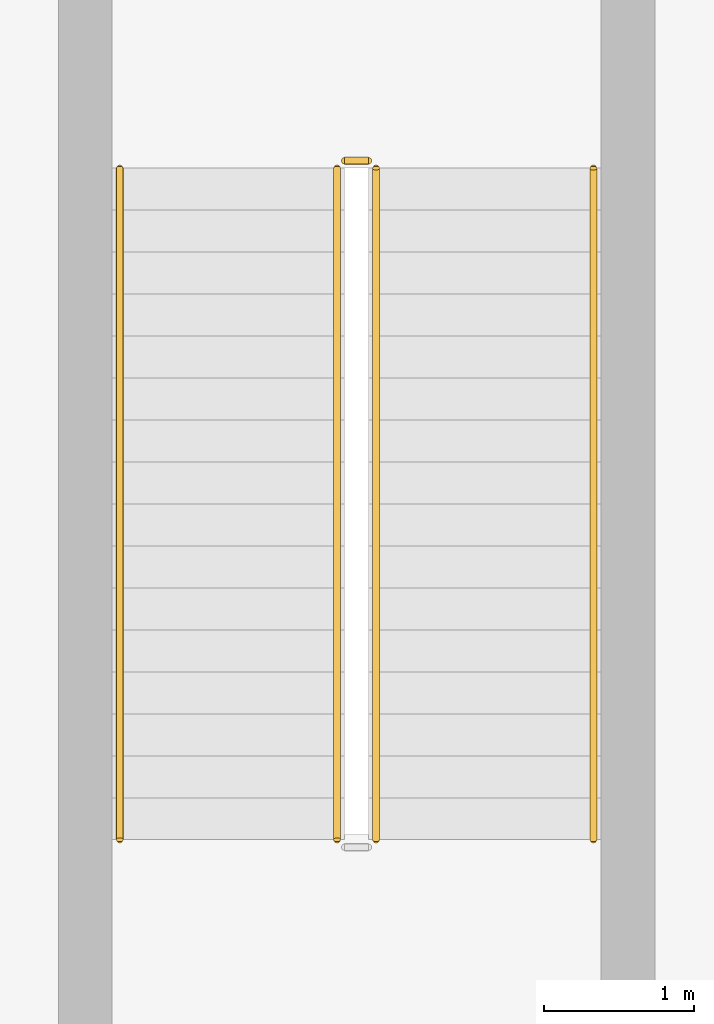
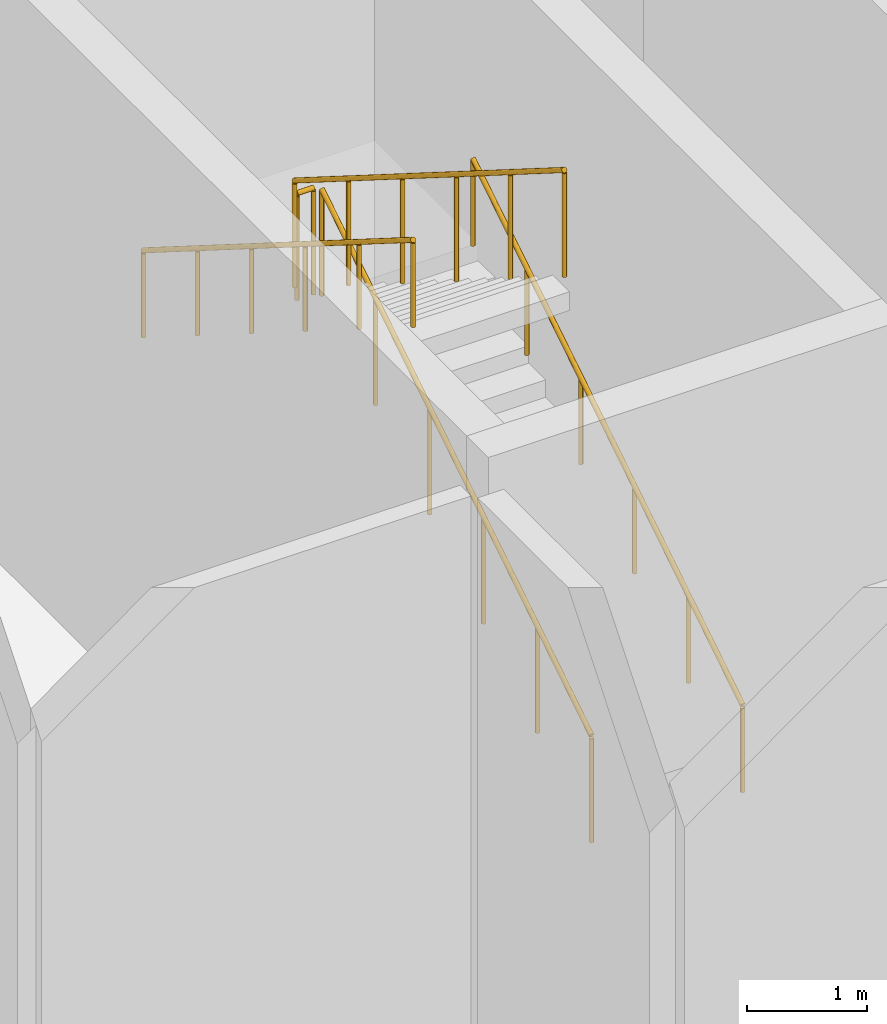
# One storey, part 23 of 25: 5 railings.
"""IFC4 building model written with IfcOpenShell, lengths in metres."""

from ifc_helpers import new_model, si_unit, direction, frame, origin, origin_2d, place, context, subcontext, project, spatial, circle, extrude, source, transform, mapped, material, type_object, element, save


model = new_model("IFC4")

# Units and contexts
model_context = context("Model", 3, precision=1e-05, world=origin(), true_north=direction((0.0, 1.0)))
body_context = subcontext(model_context, "Body", "Model", "MODEL_VIEW")
ifc_project = project(units=[si_unit("LENGTHUNIT", "METRE"), si_unit("AREAUNIT", "SQUARE_METRE"), si_unit("VOLUMEUNIT", "CUBIC_METRE"), si_unit("PLANEANGLEUNIT", "RADIAN"), si_unit("MASSUNIT", "GRAM", prefix="KILO"), si_unit("THERMODYNAMICTEMPERATUREUNIT", "KELVIN")], contexts=[model_context])

# Site, building, storey
site_placement = place(None, origin())
site = spatial("IfcSite", under=ifc_project, at=site_placement, CompositionType="ELEMENT")
building_placement = place(site_placement, origin())
building = spatial("IfcBuilding", under=site, at=building_placement, Name="Kosmvard Interchange Tower", CompositionType="ELEMENT")
storey_placement = place(building_placement, origin())
storey = spatial("IfcBuildingStorey", under=building, at=storey_placement, Name="L00", CompositionType="ELEMENT", Elevation=0.0)

# Railings
ifc_material = material(Name="Steel S355", Category="steel")
railing_type_1 = type_object("IfcRailingType", Name="Stair & Terrace Safety Guardrail 1100 Steel", PredefinedType="GUARDRAIL", material=ifc_material)
shared_shape_1 = source(origin(), body_context, "Body", "SweptSolid", [
    extrude(circle(Radius=0.02392578125, at=origin_2d()), frame((0.0, 0.0, 1.076171875), z_axis=(0.0, 0.845997938375, 0.533186166611), x_axis=(-1.0, 0.0, 0.0)), (0.0, 0.0, 1.0), 5.29541015625),
    extrude(circle(Radius=0.02099609375, at=origin_2d()), origin(), (0.0, 0.0, 1.0), 1.052001953125),
    extrude(circle(Radius=0.02099609375, at=origin_2d()), frame((0.0, 0.89599609375, 0.564697265625)), (0.0, 0.0, 1.0), 1.052001953125),
    extrude(circle(Radius=0.02099609375, at=origin_2d()), frame((0.0, 1.7919921875, 1.12939453125)), (0.0, 0.0, 1.0), 1.052001953125),
    extrude(circle(Radius=0.02099609375, at=origin_2d()), frame((0.0, 2.68798828125, 1.694091796875)), (0.0, 0.0, 1.0), 1.052001953125),
    extrude(circle(Radius=0.02099609375, at=origin_2d()), frame((0.0, 3.583984375, 2.2587890625)), (0.0, 0.0, 1.0), 1.052001953125),
    extrude(circle(Radius=0.02099609375, at=origin_2d()), frame((0.0, 4.47998046875, 2.823486328125)), (0.0, 0.0, 1.0), 1.052001953125),
])
railing_1_placement = place(storey_placement, frame((21.080078125, -3.0, 0.176513671875)))
element("IfcRailing", 1, at=railing_1_placement, inside=storey, type_object=railing_type_1, Name="L00 ST-4 stair guard 1", PredefinedType="GUARDRAIL", context=body_context, shape_type="MappedRepresentation", body=[
    mapped(shared_shape_1, transform((0.0, 0.0, 0.0), scale=1.0)),
])
shared_shape_2 = source(origin(), body_context, "Body", "SweptSolid", [
    extrude(circle(Radius=0.02392578125, at=origin_2d()), frame((0.0, 0.0, 1.076171875), z_axis=(0.0, -0.845997938375, 0.533186166611), x_axis=(1.0, 0.0, 0.0)), (0.0, 0.0, 1.0), 5.29541015625),
    extrude(circle(Radius=0.02099609375, at=origin_2d()), origin(), (0.0, 0.0, 1.0), 1.052001953125),
    extrude(circle(Radius=0.02099609375, at=origin_2d()), frame((0.0, -0.89599609375, 0.564697265625)), (0.0, 0.0, 1.0), 1.052001953125),
    extrude(circle(Radius=0.02099609375, at=origin_2d()), frame((0.0, -1.7919921875, 1.12939453125)), (0.0, 0.0, 1.0), 1.052001953125),
    extrude(circle(Radius=0.02099609375, at=origin_2d()), frame((0.0, -2.68798828125, 1.694091796875)), (0.0, 0.0, 1.0), 1.052001953125),
    extrude(circle(Radius=0.02099609375, at=origin_2d()), frame((0.0, -3.583984375, 2.2587890625)), (0.0, 0.0, 1.0), 1.052001953125),
    extrude(circle(Radius=0.02099609375, at=origin_2d()), frame((0.0, -4.47998046875, 2.823486328125)), (0.0, 0.0, 1.0), 1.052001953125),
])
railing_2_placement = place(storey_placement, frame((20.820068359375, 1.47998046875, 3.176513671875)))
element("IfcRailing", 2, at=railing_2_placement, inside=storey, type_object=railing_type_1, Name="L00 ST-4 stair guard 3", PredefinedType="GUARDRAIL", context=body_context, shape_type="MappedRepresentation", body=[
    mapped(shared_shape_2, transform((0.0, 0.0, 0.0), scale=1.0)),
])
railing_type_2 = type_object("IfcRailingType", Name="Wall-Mounted Stair Handrail 900 Steel", PredefinedType="HANDRAIL", material=ifc_material)
shared_shape_3 = source(origin(), body_context, "Body", "SweptSolid", [
    extrude(circle(Radius=0.02392578125, at=origin_2d()), frame((0.0, 0.0, 0.8759765625), z_axis=(0.0, 0.845997938375, 0.533186166611), x_axis=(-1.0, 0.0, 0.0)), (0.0, 0.0, 1.0), 5.29541015625),
    extrude(circle(Radius=0.02099609375, at=origin_2d()), origin(), (0.0, 0.0, 1.0), 0.851806640625),
    extrude(circle(Radius=0.02099609375, at=origin_2d()), frame((0.0, 0.89599609375, 0.564697265625)), (0.0, 0.0, 1.0), 0.851806640625),
    extrude(circle(Radius=0.02099609375, at=origin_2d()), frame((0.0, 1.7919921875, 1.12939453125)), (0.0, 0.0, 1.0), 0.851806640625),
    extrude(circle(Radius=0.02099609375, at=origin_2d()), frame((0.0, 2.68798828125, 1.694091796875)), (0.0, 0.0, 1.0), 0.851806640625),
    extrude(circle(Radius=0.02099609375, at=origin_2d()), frame((0.0, 3.583984375, 2.2587890625)), (0.0, 0.0, 1.0), 0.851806640625),
    extrude(circle(Radius=0.02099609375, at=origin_2d()), frame((0.0, 4.47998046875, 2.823486328125)), (0.0, 0.0, 1.0), 0.851806640625),
])
railing_3_placement = place(storey_placement, frame((22.530029296875, -3.0, 0.176513671875)))
element("IfcRailing", 3, at=railing_3_placement, inside=storey, type_object=railing_type_2, Name="L00 ST-4 stair handrail 1", PredefinedType="HANDRAIL", context=body_context, shape_type="MappedRepresentation", body=[
    mapped(shared_shape_3, transform((0.0, 0.0, 0.0), scale=1.0)),
])
shared_shape_4 = source(origin(), body_context, "Body", "SweptSolid", [
    extrude(circle(Radius=0.02392578125, at=origin_2d()), frame((0.0, 0.0, 0.8759765625), z_axis=(0.0, -0.845997938375, 0.533186166611), x_axis=(1.0, 0.0, 0.0)), (0.0, 0.0, 1.0), 5.29541015625),
    extrude(circle(Radius=0.02099609375, at=origin_2d()), origin(), (0.0, 0.0, 1.0), 0.851806640625),
    extrude(circle(Radius=0.02099609375, at=origin_2d()), frame((0.0, -0.89599609375, 0.564697265625)), (0.0, 0.0, 1.0), 0.851806640625),
    extrude(circle(Radius=0.02099609375, at=origin_2d()), frame((0.0, -1.7919921875, 1.12939453125)), (0.0, 0.0, 1.0), 0.851806640625),
    extrude(circle(Radius=0.02099609375, at=origin_2d()), frame((0.0, -2.68798828125, 1.694091796875)), (0.0, 0.0, 1.0), 0.851806640625),
    extrude(circle(Radius=0.02099609375, at=origin_2d()), frame((0.0, -3.583984375, 2.2587890625)), (0.0, 0.0, 1.0), 0.851806640625),
    extrude(circle(Radius=0.02099609375, at=origin_2d()), frame((0.0, -4.47998046875, 2.823486328125)), (0.0, 0.0, 1.0), 0.851806640625),
])
railing_4_placement = place(storey_placement, frame((19.3701171875, 1.47998046875, 3.176513671875)))
element("IfcRailing", 4, at=railing_4_placement, inside=storey, type_object=railing_type_2, Name="L00 ST-4 stair handrail 2", PredefinedType="HANDRAIL", context=body_context, shape_type="MappedRepresentation", body=[
    mapped(shared_shape_4, transform((0.0, 0.0, 0.0), scale=1.0)),
])
shared_shape_5 = source(origin(), body_context, "Body", "SweptSolid", [
    extrude(circle(Radius=0.02392578125, at=origin_2d()), frame((0.0, 0.0, 1.076171875), z_axis=(-1.0, 0.0, 0.0), x_axis=(0.0, -1.0, 0.0)), (0.0, 0.0, 1.0), 0.159912109375),
    extrude(circle(Radius=0.02099609375, at=origin_2d()), origin(), (0.0, 0.0, 1.0), 1.052001953125),
    extrude(circle(Radius=0.02099609375, at=origin_2d()), frame((-0.159912109375, 0.0, 0.0)), (0.0, 0.0, 1.0), 1.052001953125),
])
railing_5_placement = place(storey_placement, frame((21.030029296875, 1.530029296875, 3.0)))
element("IfcRailing", 5, at=railing_5_placement, inside=storey, type_object=railing_type_1, Name="L00 ST-4 stair guard 2", PredefinedType="GUARDRAIL", context=body_context, shape_type="MappedRepresentation", body=[
    mapped(shared_shape_5, transform((0.0, 0.0, 0.0), scale=1.0)),
])

save(model, "model.ifc")
